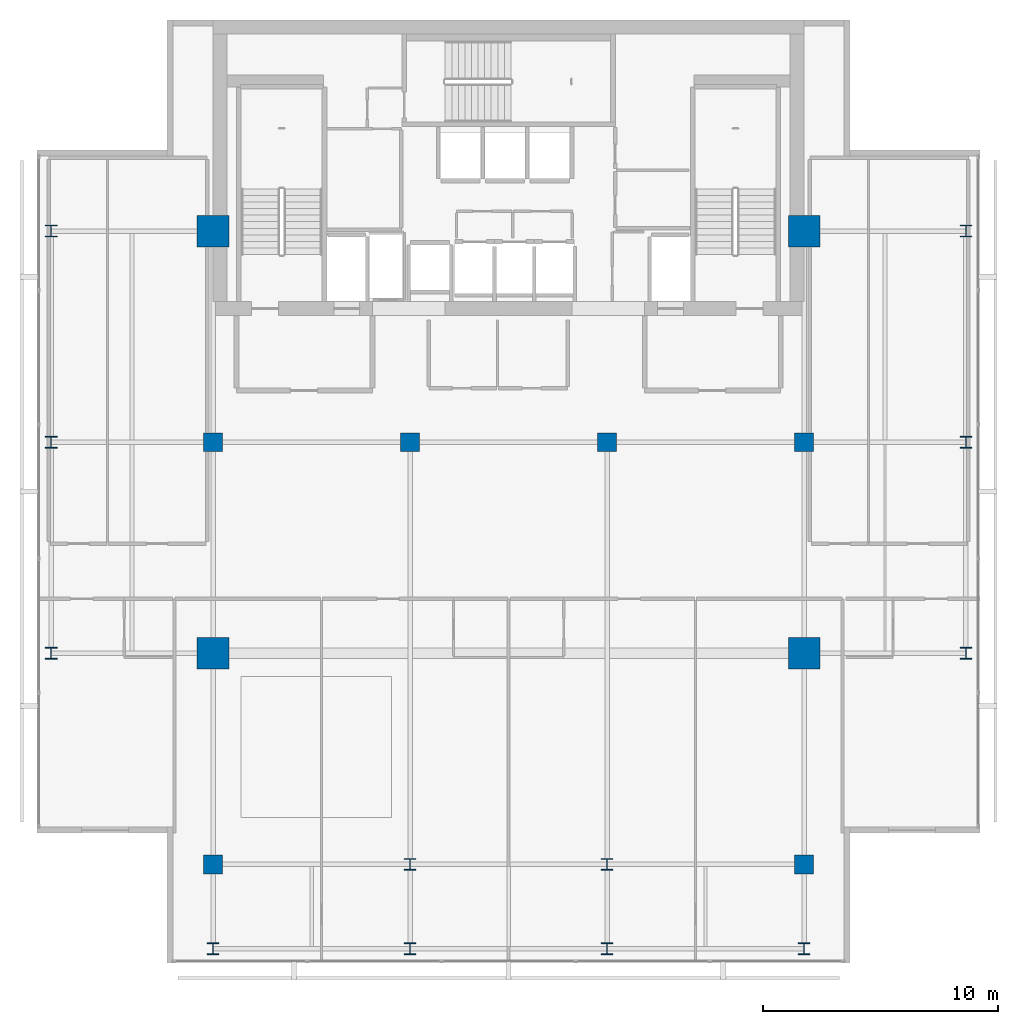
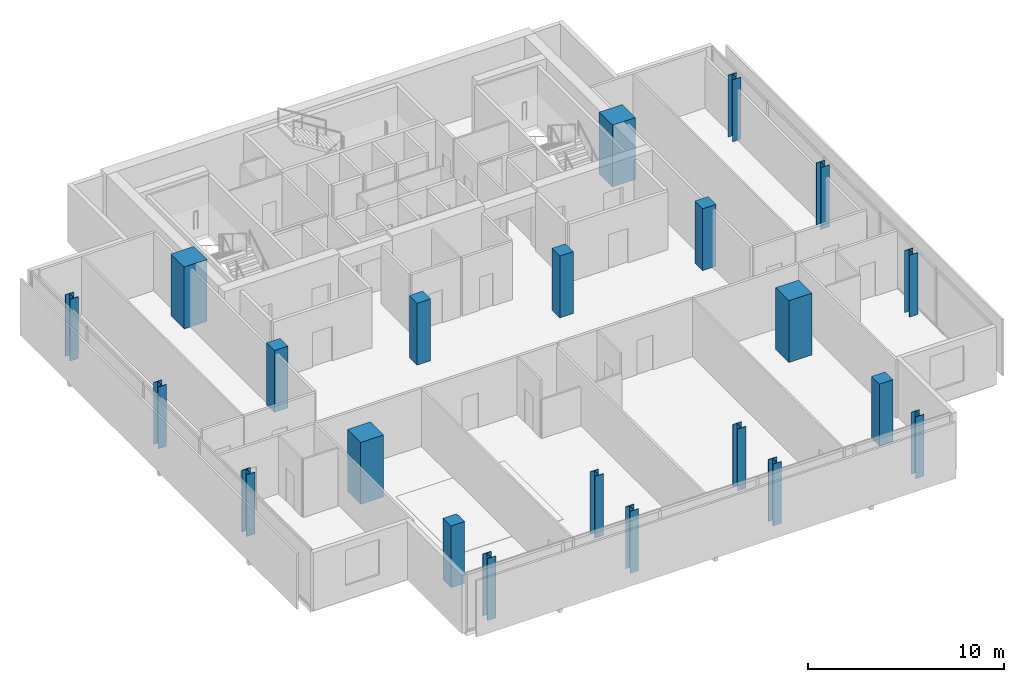
# One storey, part 1 of 23: 22 columns.
"""IFC4 building model written with IfcOpenShell, lengths in metres."""

import ifcopenshell
import ifcopenshell.guid

model = None  # the IFC model being written
_history = None  # IfcOwnerHistory: only IFC2X3 demands one
_inside = {}  # id of a spatial element -> (the spatial element, [elements in it])
_under = {}  # id of a project, library or spatial element -> (it, [spatial elements below it])
_declared = {}  # id of a project -> (the project, [libraries it declares])
_typed = {}  # id of a type object -> (the type object, [elements of that type])
_made_of = {}  # id of a material, layer set ... -> (it, [elements and type objects made of it])


def new_model(schema):
    """Start an empty IFC model of exactly this schema.

    Asked for "IFC4X3", IfcOpenShell would pick the latest addendum, in which some entities
    have other attributes; the version numbers below select the first issue.
    IFC2X3 requires an IfcOwnerHistory on every rooted entity: one is made here for all.
    """
    global model, _history
    if schema == "IFC4X3":
        model = ifcopenshell.file(schema_version=(4, 3, 0, 0))
    else:
        model = ifcopenshell.file(schema=schema)
    _inside.clear()
    _under.clear()
    _declared.clear()
    _typed.clear()
    _made_of.clear()
    _history = None
    if model.schema == "IFC2X3":
        org = make("IfcOrganization", Name="unknown")
        user = make(
            "IfcPersonAndOrganization",
            ThePerson=make("IfcPerson", FamilyName="unknown"),
            TheOrganization=org,
        )
        app = make(
            "IfcApplication",
            ApplicationDeveloper=org,
            Version="unknown",
            ApplicationFullName="unknown",
            ApplicationIdentifier="unknown",
        )
        _history = make(
            "IfcOwnerHistory",
            OwningUser=user,
            OwningApplication=app,
            ChangeAction="ADDED",
            CreationDate=0,
        )
    return model


def make(cls, **values):
    """One entity of the class cls with the attributes given. An attribute that is None is left unset."""
    return model.create_entity(
        cls, **{name: value for name, value in values.items() if value is not None}
    )


def rooted(cls, **values):
    """An entity with a GlobalId (a new one), such as an element, a storey or a relation."""
    return make(cls, GlobalId=ifcopenshell.guid.new(), OwnerHistory=_history, **values)


def si_unit(unit_type, name, prefix=None):
    """IfcSIUnit, for example si_unit("LENGTHUNIT", "METRE", prefix="MILLI")."""
    return make("IfcSIUnit", UnitType=unit_type, Prefix=prefix, Name=name)


def assignment(units):
    """IfcUnitAssignment: the units of a project."""
    return None if units is None else make("IfcUnitAssignment", Units=units)


def point(xyz):
    """IfcCartesianPoint."""
    return None if xyz is None else make("IfcCartesianPoint", Coordinates=xyz)


def direction(xyz):
    """IfcDirection."""
    return None if xyz is None else make("IfcDirection", DirectionRatios=xyz)


def frame(location, z_axis=None, x_axis=None):
    """IfcAxis2Placement3D, a coordinate frame: its origin and axes. An axis left out is left unset."""
    return make(
        "IfcAxis2Placement3D",
        Location=point(location),
        Axis=direction(z_axis),
        RefDirection=direction(x_axis),
    )


def frame_2d(location, x_axis=None):
    """IfcAxis2Placement2D, a coordinate frame in the plane: its origin and x axis."""
    return make(
        "IfcAxis2Placement2D", Location=point(location), RefDirection=direction(x_axis)
    )


def origin():
    """The frame at (0, 0, 0) with its axes left unset."""
    return frame((0.0, 0.0, 0.0))


def origin_2d():
    """The frame at (0, 0) in the plane with its x axis left unset."""
    return frame_2d((0.0, 0.0))


def place(relative_to, where):
    """IfcLocalPlacement: puts the frame where relative to a parent placement (None: the world)."""
    return make(
        "IfcLocalPlacement", PlacementRelTo=relative_to, RelativePlacement=where
    )


def context(
    kind, dimensions, precision=None, world=None, true_north=None, identifier=None
):
    """IfcGeometricRepresentationContext, for example the 3D "Model" context."""
    return make(
        "IfcGeometricRepresentationContext",
        ContextIdentifier=identifier,
        ContextType=kind,
        CoordinateSpaceDimension=dimensions,
        Precision=precision,
        WorldCoordinateSystem=world,
        TrueNorth=true_north,
    )


def subcontext(parent, identifier, kind, view, scale=None):
    """IfcGeometricRepresentationSubContext, for example "Body" below "Model"."""
    return make(
        "IfcGeometricRepresentationSubContext",
        ContextIdentifier=identifier,
        ContextType=kind,
        ParentContext=parent,
        TargetScale=scale,
        TargetView=view,
    )


def project(units=None, contexts=None):
    """IfcProject with its units and contexts."""
    return rooted(
        "IfcProject",
        Name="project",
        RepresentationContexts=contexts,
        UnitsInContext=assignment(units),
    )


def spatial(cls, under=None, at=None, **own):
    """A site, building, storey or space (cls), placed at a placement, below another one or the project."""
    s = rooted(cls, ObjectPlacement=at, **own)
    if under is not None:
        _under.setdefault(under.id(), (under, []))[1].append(s)
    return s


def profile(cls, at=None, kind="AREA", **sizes):
    """A parametric profile (cls). Its sizes go by their IFC names, for example OverallWidth=200.0."""
    return make(cls, ProfileType=kind, Position=at, **sizes)


def rectangle(**sizes):
    """IfcRectangleProfileDef."""
    return profile("IfcRectangleProfileDef", **sizes)


def i_section(**sizes):
    """IfcIShapeProfileDef."""
    return profile("IfcIShapeProfileDef", **sizes)


def extrude(swept, where, along, depth):
    """IfcExtrudedAreaSolid: the profile swept, set in the frame where, extruded along a direction by depth."""
    return make(
        "IfcExtrudedAreaSolid",
        SweptArea=swept,
        Position=where,
        ExtrudedDirection=direction(along),
        Depth=depth,
    )


def shape(context_of_items, identifier, shape_type, items):
    """IfcShapeRepresentation: the items that make up one representation, for example the "Body"."""
    return make(
        "IfcShapeRepresentation",
        ContextOfItems=context_of_items,
        RepresentationIdentifier=identifier,
        RepresentationType=shape_type,
        Items=items,
    )


def material(Name=None, Category=None):
    """IfcMaterial."""
    return make("IfcMaterial", Name=Name, Category=Category)


def material_profile(
    of_material, cross_section, Name=None, Category=None, Priority=None
):
    """IfcMaterialProfile: a cross section and its material."""
    return make(
        "IfcMaterialProfile",
        Name=Name,
        Material=of_material,
        Profile=cross_section,
        Priority=Priority,
        Category=Category,
    )


def profile_set(profiles, Name=None, composite=None):
    """IfcMaterialProfileSet."""
    return make(
        "IfcMaterialProfileSet",
        Name=Name,
        MaterialProfiles=profiles,
        CompositeProfile=composite,
    )


def made_of(thing, what):
    """Note that an element or type object is made of a material, layer set ...; save() writes the relation."""
    if what is not None:
        _made_of.setdefault(what.id(), (what, []))[1].append(thing)
    return thing


def type_object(cls, material=None, **own):
    """A type object (cls), such as IfcWallType, which elements share."""
    return made_of(rooted(cls, **own), material)


def element(
    cls,
    number,
    at=None,
    inside=None,
    cuts=None,
    type_object=None,
    material=None,
    context=None,
    identifier="Body",
    shape_type=None,
    held_by="IfcProductDefinitionShape",
    body=None,
    shapes=None,
    **own,
):
    """One element of the class cls, such as IfcWall. Its Tag is "e" and its number.

    at: its placement. inside: the storey or other place that contains it. cuts: it is an
    opening in that element (IfcRelVoidsElement). A single representation is given by context,
    identifier, shape_type and body (its items); several are given by shapes. held_by: the class
    of the entity that holds the representations. save() writes the other relations.
    """
    e = rooted(cls, Tag="e%d" % number, ObjectPlacement=at, **own)
    if body is not None:
        shapes = [shape(context, identifier, shape_type, body)]
    if shapes is not None:
        e.Representation = make(held_by, Representations=shapes)
    if inside is not None:
        _inside.setdefault(inside.id(), (inside, []))[1].append(e)
    if cuts is not None:
        rooted(
            "IfcRelVoidsElement", RelatingBuildingElement=cuts, RelatedOpeningElement=e
        )
    if type_object is not None:
        _typed.setdefault(type_object.id(), (type_object, []))[1].append(e)
    return made_of(e, material)


def aggregate(whole, parts):
    """IfcRelAggregates: a whole, such as a stair, and the parts it consists of."""
    return rooted("IfcRelAggregates", RelatingObject=whole, RelatedObjects=parts)


def save(model, path):
    """Write the relations noted so far, then the file.

    IfcRelAggregates (storeys below a building ...), IfcRelContainedInSpatialStructure (elements
    in a storey), IfcRelDefinesByType, IfcRelAssociatesMaterial and IfcRelDeclares: one each for
    every whole, place, type object, material and project.
    """
    for whole, parts in _under.values():
        aggregate(whole, parts)
    for where, things in _inside.values():
        rooted(
            "IfcRelContainedInSpatialStructure",
            RelatedElements=things,
            RelatingStructure=where,
        )
    for kind, things in _typed.values():
        rooted("IfcRelDefinesByType", RelatedObjects=things, RelatingType=kind)
    for what, things in _made_of.values():
        rooted("IfcRelAssociatesMaterial", RelatedObjects=things, RelatingMaterial=what)
    for by, libraries in _declared.values():
        rooted("IfcRelDeclares", RelatingContext=by, RelatedDefinitions=libraries)
    model.write(path)


model = new_model("IFC4")

# Units and contexts
model_context = context("Model", 3, precision=1e-05, world=origin(), true_north=direction((0.0, 1.0)))
body_context = subcontext(model_context, "Body", "Model", "MODEL_VIEW")
ifc_project = project(units=[si_unit("LENGTHUNIT", "METRE"), si_unit("AREAUNIT", "SQUARE_METRE"), si_unit("VOLUMEUNIT", "CUBIC_METRE"), si_unit("PLANEANGLEUNIT", "RADIAN"), si_unit("MASSUNIT", "GRAM", prefix="KILO")], contexts=[model_context])

# Site, building, storey
site_placement = place(None, origin())
site = spatial("IfcSite", under=ifc_project, at=site_placement, CompositionType="ELEMENT")
building_placement = place(site_placement, origin())
building = spatial("IfcBuilding", under=site, at=building_placement, Name="Maruvema Waterfront Hotel and Observation Tower", CompositionType="ELEMENT")
storey_placement = place(building_placement, frame((0.0, 0.0, 337.39990234375)))
storey = spatial("IfcBuildingStorey", under=building, at=storey_placement, Name="L83", CompositionType="ELEMENT", Elevation=337.39990234375)

# Columns
ifc_material_1 = material(Name="Concrete C70/85", Category="concrete")
ifc_material_profile_1 = material_profile(ifc_material_1, rectangle(XDim=1.35009765625, YDim=1.35009765625, at=origin_2d()), Name="MC1350x1350")
ifc_profile_set_1 = profile_set([ifc_material_profile_1], Name="Concrete C70/85")
column_type_1 = type_object("IfcColumnType", Name="Continuous Mega-Column MC1350x1350", PredefinedType="COLUMN", material=ifc_profile_set_1)
for number, where, z_axis, x_axis, name in (
    (1, (25.199951171875, 27.0, 0.0), (0.0, 0.0, 1.0), (1.0, 0.0, 0.0), "L83 Continuous Mega-Column MC-01"),
    (2, (50.39990234375, 27.0, 0.0), (0.0, 0.0, 1.0), (1.0, 0.0, 0.0), "L83 Continuous Mega-Column MC-02"),
    (3, (25.199951171875, 45.0, 0.0), (0.0, 0.0, 1.0), (1.0, 0.0, 0.0), "L83 Continuous Mega-Column MC-03"),
    (4, (50.39990234375, 45.0, 0.0), (0.0, 0.0, 1.0), (1.0, 0.0, 0.0), "L83 Continuous Mega-Column MC-04"),
):
    element("IfcColumn", number, at=place(storey_placement, frame(where, z_axis=z_axis, x_axis=x_axis)), inside=storey, type_object=column_type_1, Name=name, PredefinedType="COLUMN", context=body_context, shape_type="SweptSolid", body=[
        extrude(rectangle(XDim=1.35009765625, YDim=1.35009765625, at=origin_2d()), origin(), (0.0, 0.0, 1.0), 3.85009765625),
    ])
ifc_material_2 = material(Name="Concrete C60/75", Category="concrete")
ifc_material_profile_2 = material_profile(ifc_material_2, rectangle(XDim=0.800048828125, YDim=0.800048828125, at=origin_2d()), Name="RC800x800")
ifc_profile_set_2 = profile_set([ifc_material_profile_2], Name="Concrete C60/75")
column_type_2 = type_object("IfcColumnType", Name="Reinforced Concrete Column RC800x800", PredefinedType="COLUMN", material=ifc_profile_set_2)
for number, where, z_axis, x_axis, name in (
    (5, (25.199951171875, 36.0, 0.0), (0.0, 0.0, 1.0), (1.0, 0.0, 0.0), "L83 Column C-4E"),
    (6, (33.60009765625, 36.0, 0.0), (0.0, 0.0, 1.0), (1.0, 0.0, 0.0), "L83 Column C-5E"),
    (7, (42.0, 36.0, 0.0), (0.0, 0.0, 1.0), (1.0, 0.0, 0.0), "L83 Column C-6E"),
    (8, (50.39990234375, 36.0, 0.0), (0.0, 0.0, 1.0), (1.0, 0.0, 0.0), "L83 Column C-7E"),
    (9, (25.199951171875, 18.0, 0.0), (0.0, 0.0, 1.0), (1.0, 0.0, 0.0), "L83 Column C-4C"),
    (10, (50.39990234375, 18.0, 0.0), (0.0, 0.0, 1.0), (1.0, 0.0, 0.0), "L83 Column C-7C"),
):
    element("IfcColumn", number, at=place(storey_placement, frame(where, z_axis=z_axis, x_axis=x_axis)), inside=storey, type_object=column_type_2, Name=name, PredefinedType="COLUMN", context=body_context, shape_type="SweptSolid", body=[
        extrude(rectangle(XDim=0.800048828125, YDim=0.800048828125, at=origin_2d()), origin(), (0.0, 0.0, 1.0), 3.85009765625),
    ])
ifc_material_3 = material(Name="Steel ABNT NBR 7007 AR 415 (ASTM A572 Grade 50)", Category="steel")
ifc_material_profile_3 = material_profile(ifc_material_3, i_section(OverallWidth=0.5, OverallDepth=0.5, WebThickness=0.02197265625, FlangeThickness=0.031982421875, at=origin_2d()), Name="CVS500x223")
ifc_profile_set_3 = profile_set([ifc_material_profile_3], Name="Steel ABNT NBR 7007 AR 415 (ASTM A572 Grade 50)")
column_type_3 = type_object("IfcColumnType", Name="Structural Steel Column CVS500x223", PredefinedType="COLUMN", material=ifc_profile_set_3)
for number, where, z_axis, x_axis, name in (
    (11, (33.60009765625, 18.0, 0.0), (0.0, 0.0, 1.0), (1.0, 0.0, 0.0), "L83 Column C-5C"),
    (12, (42.0, 18.0, 0.0), (0.0, 0.0, 1.0), (1.0, 0.0, 0.0), "L83 Column C-6C"),
    (13, (18.300048828125, 27.0, 0.0), (0.0, 0.0, 1.0), (1.0, 0.0, 0.0), "L83 Column C-Z4W27"),
    (14, (57.300048828125, 27.0, 0.0), (0.0, 0.0, 1.0), (1.0, 0.0, 0.0), "L83 Column C-Z4E27"),
    (15, (18.300048828125, 36.0, 0.0), (0.0, 0.0, 1.0), (1.0, 0.0, 0.0), "L83 Column C-Z4W36"),
    (16, (57.300048828125, 36.0, 0.0), (0.0, 0.0, 1.0), (1.0, 0.0, 0.0), "L83 Column C-Z4E36"),
    (17, (18.300048828125, 45.0, 0.0), (0.0, 0.0, 1.0), (1.0, 0.0, 0.0), "L83 Column C-Z4W45"),
    (18, (57.300048828125, 45.0, 0.0), (0.0, 0.0, 1.0), (1.0, 0.0, 0.0), "L83 Column C-Z4E45"),
    (19, (25.199951171875, 14.39990234375, 0.0), (0.0, 0.0, 1.0), (1.0, 0.0, 0.0), "L83 Column C-Z4S4"),
    (20, (33.60009765625, 14.39990234375, 0.0), (0.0, 0.0, 1.0), (1.0, 0.0, 0.0), "L83 Column C-Z4S5"),
    (21, (42.0, 14.39990234375, 0.0), (0.0, 0.0, 1.0), (1.0, 0.0, 0.0), "L83 Column C-Z4S6"),
    (22, (50.39990234375, 14.39990234375, 0.0), (0.0, 0.0, 1.0), (1.0, 0.0, 0.0), "L83 Column C-Z4S7"),
):
    element("IfcColumn", number, at=place(storey_placement, frame(where, z_axis=z_axis, x_axis=x_axis)), inside=storey, type_object=column_type_3, Name=name, PredefinedType="COLUMN", context=body_context, shape_type="SweptSolid", body=[
        extrude(i_section(OverallWidth=0.5, OverallDepth=0.5, WebThickness=0.02197265625, FlangeThickness=0.031982421875, at=origin_2d()), origin(), (0.0, 0.0, 1.0), 3.85009765625),
    ])

save(model, "model.ifc")
